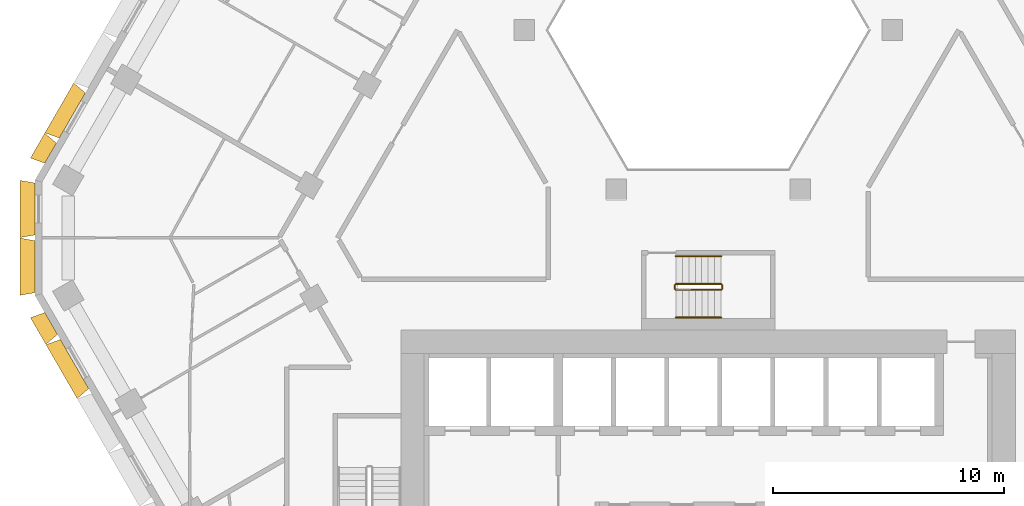
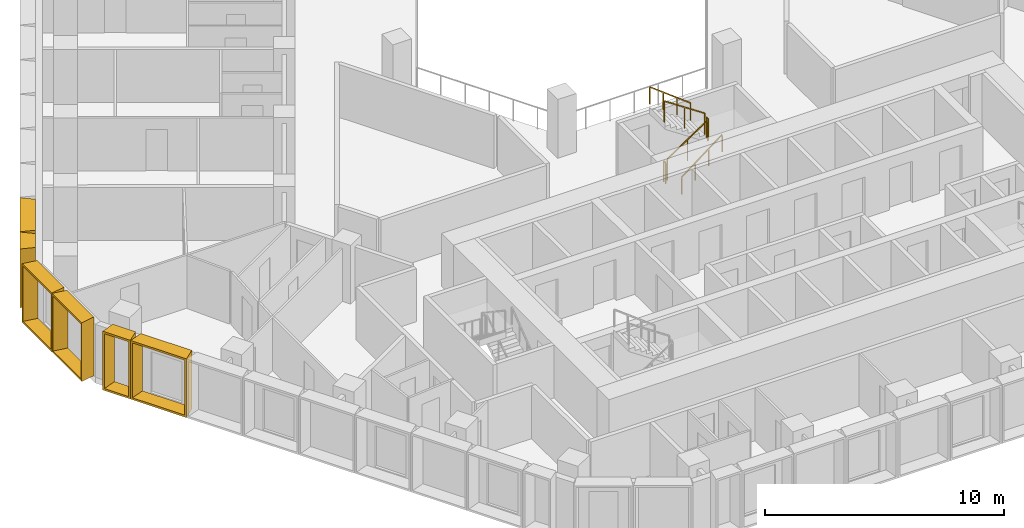
# One storey, part 14 of 16: 6 railings, 6 shading devices.
"""IFC4 building model written with IfcOpenShell, lengths in metres."""

from ifc_helpers import new_model, entity, si_unit, direction, frame, origin, origin_2d, place, context, subcontext, project, spatial, rectangle, extrude, source, transform, mapped, material, type_object, type_shapes, element, save


model = new_model("IFC4")

# Units and contexts
model_context = context("Model", 3, precision=1e-05, world=origin(), true_north=direction((0.0, 1.0)))
body_context = subcontext(model_context, "Body", "Model", "MODEL_VIEW")
ifc_project = project(units=[si_unit("LENGTHUNIT", "METRE"), si_unit("AREAUNIT", "SQUARE_METRE"), si_unit("VOLUMEUNIT", "CUBIC_METRE"), si_unit("PLANEANGLEUNIT", "RADIAN"), si_unit("MASSUNIT", "GRAM", prefix="KILO")], contexts=[model_context])

# Site, building, storey
site_placement = place(None, origin())
site = spatial("IfcSite", under=ifc_project, at=site_placement, CompositionType="ELEMENT")
building_placement = place(site_placement, origin())
building = spatial("IfcBuilding", under=site, at=building_placement, Name="Beryl Residences", CompositionType="ELEMENT")
storey_placement = place(building_placement, frame((0.0, 0.0, 90.0)))
storey = spatial("IfcBuildingStorey", under=building, at=storey_placement, Name="L27", CompositionType="ELEMENT", Elevation=90.0)

# Shading devices
ifc_material_1 = material(Name="Aluminium pale anodised", Category="aluminium")
shading_device_type_1 = type_object("IfcShadingDeviceType", Name="FR126-65A OUTER SKIN frame 650 mm deep, splay 10/10 deg, 1260 x 3000 mm cell", PredefinedType="USERDEFINED", material=ifc_material_1)
cartesian_point_1 = entity("IfcCartesianPoint", [-0.5048828125, 0.0])
cartesian_point_2 = entity("IfcCartesianPoint", [-0.423828125, 0.10009765625])
cartesian_point_3 = entity("IfcCartesianPoint", [-0.61962890625, 0.0])
cartesian_point_4 = entity("IfcCartesianPoint", [-0.538330078125, 0.10009765625])
shared_shape_1 = source(origin(), body_context, "Body", "SweptSolid", [
    entity("IfcExtrudedAreaSolidTapered", entity("IfcArbitraryProfileDefWithVoids", "AREA", None, entity("IfcPolyline", [cartesian_point_1, entity("IfcCartesianPoint", [0.5048828125, 0.0]), entity("IfcCartesianPoint", [0.5048828125, 3.0]), entity("IfcCartesianPoint", [-0.5048828125, 3.0]), cartesian_point_1]), [entity("IfcPolyline", [cartesian_point_2, entity("IfcCartesianPoint", [0.423828125, 0.10009765625]), entity("IfcCartesianPoint", [0.423828125, 2.89990234375]), entity("IfcCartesianPoint", [-0.423828125, 2.89990234375]), cartesian_point_2])]), entity("IfcAxis2Placement3D", entity("IfcCartesianPoint", [0.0, 0.0, 0.0]), entity("IfcDirection", [0.0, 1.0, 0.0]), entity("IfcDirection", [-1.0, 0.0, 0.0])), entity("IfcDirection", [0.0, 0.0, 1.0]), 0.64990234375, entity("IfcArbitraryProfileDefWithVoids", "AREA", None, entity("IfcPolyline", [cartesian_point_3, entity("IfcCartesianPoint", [0.61962890625, 0.0]), entity("IfcCartesianPoint", [0.61962890625, 3.0]), entity("IfcCartesianPoint", [-0.61962890625, 3.0]), cartesian_point_3]), [entity("IfcPolyline", [cartesian_point_4, entity("IfcCartesianPoint", [0.538330078125, 0.10009765625]), entity("IfcCartesianPoint", [0.538330078125, 2.89990234375]), entity("IfcCartesianPoint", [-0.538330078125, 2.89990234375]), cartesian_point_4])])),
])
type_shapes(shading_device_type_1, [shared_shape_1])
shading_device_1_placement = place(storey_placement, frame((-28.48193359375, 2.6689453125, 0.0), z_axis=(0.0, 0.0, 1.0), x_axis=(0.5, 0.866025403784, 0.0)))
element("IfcShadingDevice", 1, at=shading_device_1_placement, inside=storey, type_object=shading_device_type_1, Name="FR126-65A frame L27 NW 11", ObjectType="OUTER SKIN", PredefinedType="USERDEFINED", context=body_context, shape_type="MappedRepresentation", body=[
    mapped(shared_shape_1, transform((0.0, 0.0, 0.0))),
])
ifc_material_2 = material(Name="Aluminium pale anodised", Category="aluminium")
shading_device_type_2 = type_object("IfcShadingDeviceType", Name="FR135-65A OUTER SKIN frame 650 mm deep, splay 10/10 deg, 1350 x 3000 mm cell", PredefinedType="USERDEFINED", material=ifc_material_2)
cartesian_point_5 = entity("IfcCartesianPoint", [-0.550048828125, 0.0])
cartesian_point_6 = entity("IfcCartesianPoint", [-0.46875, 0.10009765625])
cartesian_point_7 = entity("IfcCartesianPoint", [-0.66455078125, 0.0])
cartesian_point_8 = entity("IfcCartesianPoint", [-0.58349609375, 0.10009765625])
shared_shape_2 = source(origin(), body_context, "Body", "SweptSolid", [
    entity("IfcExtrudedAreaSolidTapered", entity("IfcArbitraryProfileDefWithVoids", "AREA", None, entity("IfcPolyline", [cartesian_point_5, entity("IfcCartesianPoint", [0.550048828125, 0.0]), entity("IfcCartesianPoint", [0.550048828125, 3.0]), entity("IfcCartesianPoint", [-0.550048828125, 3.0]), cartesian_point_5]), [entity("IfcPolyline", [cartesian_point_6, entity("IfcCartesianPoint", [0.46875, 0.10009765625]), entity("IfcCartesianPoint", [0.46875, 2.89990234375]), entity("IfcCartesianPoint", [-0.46875, 2.89990234375]), cartesian_point_6])]), entity("IfcAxis2Placement3D", entity("IfcCartesianPoint", [0.0, 0.0, 0.0]), entity("IfcDirection", [0.0, 1.0, 0.0]), entity("IfcDirection", [-1.0, 0.0, 0.0])), entity("IfcDirection", [0.0, 0.0, 1.0]), 0.64990234375, entity("IfcArbitraryProfileDefWithVoids", "AREA", None, entity("IfcPolyline", [cartesian_point_7, entity("IfcCartesianPoint", [0.66455078125, 0.0]), entity("IfcCartesianPoint", [0.66455078125, 3.0]), entity("IfcCartesianPoint", [-0.66455078125, 3.0]), cartesian_point_7]), [entity("IfcPolyline", [cartesian_point_8, entity("IfcCartesianPoint", [0.58349609375, 0.10009765625]), entity("IfcCartesianPoint", [0.58349609375, 2.89990234375]), entity("IfcCartesianPoint", [-0.58349609375, 2.89990234375]), cartesian_point_8])])),
])
type_shapes(shading_device_type_2, [shared_shape_2])
shading_device_2_placement = place(storey_placement, frame((-28.4580078125, -4.7099609375, 0.0), z_axis=(0.0, 0.0, 1.0), x_axis=(-0.5, 0.866025403784, 0.0)))
element("IfcShadingDevice", 2, at=shading_device_2_placement, inside=storey, type_object=shading_device_type_2, Name="FR135-65A frame L27 SW 1", ObjectType="OUTER SKIN", PredefinedType="USERDEFINED", context=body_context, shape_type="MappedRepresentation", body=[
    mapped(shared_shape_2, transform((0.0, 0.0, 0.0))),
])
ifc_material_3 = material(Name="Aluminium pale anodised", Category="aluminium")
shading_device_type_3 = type_object("IfcShadingDeviceType", Name="FR250-65A OUTER SKIN frame 650 mm deep, splay 10/10 deg, 2500 x 3000 mm cell", PredefinedType="USERDEFINED", material=ifc_material_3)
cartesian_point_9 = entity("IfcCartesianPoint", [-1.125, 0.0])
cartesian_point_10 = entity("IfcCartesianPoint", [-1.043701171875, 0.10009765625])
cartesian_point_11 = entity("IfcCartesianPoint", [-1.239501953125, 0.0])
cartesian_point_12 = entity("IfcCartesianPoint", [-1.158447265625, 0.10009765625])
shared_shape_3 = source(origin(), body_context, "Body", "SweptSolid", [
    entity("IfcExtrudedAreaSolidTapered", entity("IfcArbitraryProfileDefWithVoids", "AREA", None, entity("IfcPolyline", [cartesian_point_9, entity("IfcCartesianPoint", [1.125, 0.0]), entity("IfcCartesianPoint", [1.125, 3.0]), entity("IfcCartesianPoint", [-1.125, 3.0]), cartesian_point_9]), [entity("IfcPolyline", [cartesian_point_10, entity("IfcCartesianPoint", [1.043701171875, 0.10009765625]), entity("IfcCartesianPoint", [1.043701171875, 2.89990234375]), entity("IfcCartesianPoint", [-1.043701171875, 2.89990234375]), cartesian_point_10])]), entity("IfcAxis2Placement3D", entity("IfcCartesianPoint", [0.0, 0.0, 0.0]), entity("IfcDirection", [0.0, 1.0, 0.0]), entity("IfcDirection", [-1.0, 0.0, 0.0])), entity("IfcDirection", [0.0, 0.0, 1.0]), 0.64990234375, entity("IfcArbitraryProfileDefWithVoids", "AREA", None, entity("IfcPolyline", [cartesian_point_11, entity("IfcCartesianPoint", [1.239501953125, 0.0]), entity("IfcCartesianPoint", [1.239501953125, 3.0]), entity("IfcCartesianPoint", [-1.239501953125, 3.0]), cartesian_point_11]), [entity("IfcPolyline", [cartesian_point_12, entity("IfcCartesianPoint", [1.158447265625, 0.10009765625]), entity("IfcCartesianPoint", [1.158447265625, 2.89990234375]), entity("IfcCartesianPoint", [-1.158447265625, 2.89990234375]), cartesian_point_12])])),
])
type_shapes(shading_device_type_3, [shared_shape_3])
for number, where, z_axis, x_axis, name in (
    (3, (-29.156982421875, 0.25, 0.0), (0.0, 0.0, 1.0), (0.0, 1.0, 0.0), "FR250-65A frame L27 NW-SW 1"),
    (4, (-29.156982421875, -2.25, 0.0), (0.0, 0.0, 1.0), (0.0, 1.0, 0.0), "FR250-65A frame L27 NW-SW 2"),
):
    element("IfcShadingDevice", number, at=place(storey_placement, frame(where, z_axis=z_axis, x_axis=x_axis)), inside=storey, type_object=shading_device_type_3, Name=name, ObjectType="OUTER SKIN", PredefinedType="USERDEFINED", context=body_context, shape_type="MappedRepresentation", body=[
        mapped(shared_shape_3, transform((0.0, 0.0, 0.0))),
    ])
ifc_material_4 = material(Name="Aluminium pale anodised", Category="aluminium")
shading_device_type_4 = type_object("IfcShadingDeviceType", Name="FR251-65A OUTER SKIN frame 650 mm deep, splay 10/10 deg, 2510 x 3000 mm cell", PredefinedType="USERDEFINED", material=ifc_material_4)
cartesian_point_13 = entity("IfcCartesianPoint", [-1.1298828125, 0.0])
cartesian_point_14 = entity("IfcCartesianPoint", [-1.048828125, 0.10009765625])
cartesian_point_15 = entity("IfcCartesianPoint", [-1.24462890625, 0.0])
cartesian_point_16 = entity("IfcCartesianPoint", [-1.163330078125, 0.10009765625])
shared_shape_4 = source(origin(), body_context, "Body", "SweptSolid", [
    entity("IfcExtrudedAreaSolidTapered", entity("IfcArbitraryProfileDefWithVoids", "AREA", None, entity("IfcPolyline", [cartesian_point_13, entity("IfcCartesianPoint", [1.1298828125, 0.0]), entity("IfcCartesianPoint", [1.1298828125, 3.0]), entity("IfcCartesianPoint", [-1.1298828125, 3.0]), cartesian_point_13]), [entity("IfcPolyline", [cartesian_point_14, entity("IfcCartesianPoint", [1.048828125, 0.10009765625]), entity("IfcCartesianPoint", [1.048828125, 2.89990234375]), entity("IfcCartesianPoint", [-1.048828125, 2.89990234375]), cartesian_point_14])]), entity("IfcAxis2Placement3D", entity("IfcCartesianPoint", [0.0, 0.0, 0.0]), entity("IfcDirection", [0.0, 1.0, 0.0]), entity("IfcDirection", [-1.0, 0.0, 0.0])), entity("IfcDirection", [0.0, 0.0, 1.0]), 0.64990234375, entity("IfcArbitraryProfileDefWithVoids", "AREA", None, entity("IfcPolyline", [cartesian_point_15, entity("IfcCartesianPoint", [1.24462890625, 0.0]), entity("IfcCartesianPoint", [1.24462890625, 3.0]), entity("IfcCartesianPoint", [-1.24462890625, 3.0]), cartesian_point_15]), [entity("IfcPolyline", [cartesian_point_16, entity("IfcCartesianPoint", [1.163330078125, 0.10009765625]), entity("IfcCartesianPoint", [1.163330078125, 2.89990234375]), entity("IfcCartesianPoint", [-1.163330078125, 2.89990234375]), cartesian_point_16])])),
])
type_shapes(shading_device_type_4, [shared_shape_4])
shading_device_3_placement = place(storey_placement, frame((-27.5400390625, 4.300048828125, 0.0), z_axis=(0.0, 0.0, 1.0), x_axis=(0.5, 0.866025403784, 0.0)))
element("IfcShadingDevice", 5, at=shading_device_3_placement, inside=storey, type_object=shading_device_type_4, Name="FR251-65A frame L27 NW 10", ObjectType="OUTER SKIN", PredefinedType="USERDEFINED", context=body_context, shape_type="MappedRepresentation", body=[
    mapped(shared_shape_4, transform((0.0, 0.0, 0.0))),
])
ifc_material_5 = material(Name="Aluminium pale anodised", Category="aluminium")
shading_device_type_5 = type_object("IfcShadingDeviceType", Name="FR271-65A OUTER SKIN frame 650 mm deep, splay 10/10 deg, 2710 x 3000 mm cell", PredefinedType="USERDEFINED", material=ifc_material_5)
cartesian_point_17 = entity("IfcCartesianPoint", [-1.22998046875, 0.0])
cartesian_point_18 = entity("IfcCartesianPoint", [-1.148681640625, 0.10009765625])
cartesian_point_19 = entity("IfcCartesianPoint", [-1.3447265625, 0.0])
cartesian_point_20 = entity("IfcCartesianPoint", [-1.263427734375, 0.10009765625])
shared_shape_5 = source(origin(), body_context, "Body", "SweptSolid", [
    entity("IfcExtrudedAreaSolidTapered", entity("IfcArbitraryProfileDefWithVoids", "AREA", None, entity("IfcPolyline", [cartesian_point_17, entity("IfcCartesianPoint", [1.22998046875, 0.0]), entity("IfcCartesianPoint", [1.22998046875, 3.0]), entity("IfcCartesianPoint", [-1.22998046875, 3.0]), cartesian_point_17]), [entity("IfcPolyline", [cartesian_point_18, entity("IfcCartesianPoint", [1.148681640625, 0.10009765625]), entity("IfcCartesianPoint", [1.148681640625, 2.89990234375]), entity("IfcCartesianPoint", [-1.148681640625, 2.89990234375]), cartesian_point_18])]), entity("IfcAxis2Placement3D", entity("IfcCartesianPoint", [0.0, 0.0, 0.0]), entity("IfcDirection", [0.0, 1.0, 0.0]), entity("IfcDirection", [-1.0, 0.0, 0.0])), entity("IfcDirection", [0.0, 0.0, 1.0]), 0.64990234375, entity("IfcArbitraryProfileDefWithVoids", "AREA", None, entity("IfcPolyline", [cartesian_point_19, entity("IfcCartesianPoint", [1.3447265625, 0.0]), entity("IfcCartesianPoint", [1.3447265625, 3.0]), entity("IfcCartesianPoint", [-1.3447265625, 3.0]), cartesian_point_19]), [entity("IfcPolyline", [cartesian_point_20, entity("IfcCartesianPoint", [1.263427734375, 0.10009765625]), entity("IfcCartesianPoint", [1.263427734375, 2.89990234375]), entity("IfcCartesianPoint", [-1.263427734375, 2.89990234375]), cartesian_point_20])])),
])
type_shapes(shading_device_type_5, [shared_shape_5])
shading_device_4_placement = place(storey_placement, frame((-27.443115234375, -6.468017578125, 0.0), z_axis=(0.0, 0.0, 1.0), x_axis=(-0.5, 0.866025403784, 0.0)))
element("IfcShadingDevice", 6, at=shading_device_4_placement, inside=storey, type_object=shading_device_type_5, Name="FR271-65A frame L27 SW 2", ObjectType="OUTER SKIN", PredefinedType="USERDEFINED", context=body_context, shape_type="MappedRepresentation", body=[
    mapped(shared_shape_5, transform((0.0, 0.0, 0.0))),
])

# Railings
ifc_material_6 = material(Name="Stainless steel balustrade with glass infill", Category="steel")
railing_type_1 = type_object("IfcRailingType", Name="SG1 stair guard 1100 mm", PredefinedType="GUARDRAIL", material=ifc_material_6)
railing_1_placement = place(storey_placement, frame((-1.39990234375, -3.25, 0.1875)))
element("IfcRailing", 7, at=railing_1_placement, inside=storey, type_object=railing_type_1, Name="L27 ST-4 stair guard 1", PredefinedType="GUARDRAIL", context=body_context, shape_type="SweptSolid", body=[
    extrude(rectangle(XDim=0.048095703125, YDim=0.048095703125, at=origin_2d()), frame((0.0, 0.0, 1.076171875), z_axis=(0.830902050051, 0.0, 0.556418712142), x_axis=(0.0, 1.0, 0.0)), (0.0, 0.0, 1.0), 2.35888671875),
    extrude(rectangle(XDim=0.0419921875, YDim=0.0419921875, at=origin_2d()), origin(), (0.0, 0.0, 1.0), 1.052001953125),
    extrude(rectangle(XDim=0.0419921875, YDim=0.0419921875, at=origin_2d()), frame((0.97998046875, 0.0, 0.65625)), (0.0, 0.0, 1.0), 1.052001953125),
    extrude(rectangle(XDim=0.0419921875, YDim=0.0419921875, at=origin_2d()), frame((1.9599609375, 0.0, 1.3125)), (0.0, 0.0, 1.0), 1.052001953125),
])
railing_2_placement = place(storey_placement, frame((0.610107421875, -3.199951171875, 1.5)))
element("IfcRailing", 8, at=railing_2_placement, inside=storey, type_object=railing_type_1, Name="L27 ST-4 stair guard 2", PredefinedType="GUARDRAIL", context=body_context, shape_type="SweptSolid", body=[
    extrude(rectangle(XDim=0.048095703125, YDim=0.048095703125, at=origin_2d()), frame((0.0, 0.0, 1.076171875), z_axis=(0.0, 1.0, 0.0), x_axis=(-1.0, 0.0, 0.0)), (0.0, 0.0, 1.0), 0.14990234375),
    extrude(rectangle(XDim=0.0419921875, YDim=0.0419921875, at=origin_2d()), origin(), (0.0, 0.0, 1.0), 1.052001953125),
    extrude(rectangle(XDim=0.0419921875, YDim=0.0419921875, at=origin_2d()), frame((0.0, 0.14990234375, 0.0)), (0.0, 0.0, 1.0), 1.052001953125),
])
railing_3_placement = place(storey_placement, frame((0.56005859375, -3.0, 1.6875)))
element("IfcRailing", 9, at=railing_3_placement, inside=storey, type_object=railing_type_1, Name="L27 ST-4 stair guard 3", PredefinedType="GUARDRAIL", context=body_context, shape_type="SweptSolid", body=[
    extrude(rectangle(XDim=0.048095703125, YDim=0.048095703125, at=origin_2d()), frame((0.0, 0.0, 1.076171875), z_axis=(-0.830902050051, 0.0, 0.556418712142), x_axis=(0.0, -1.0, 0.0)), (0.0, 0.0, 1.0), 2.35888671875),
    extrude(rectangle(XDim=0.0419921875, YDim=0.0419921875, at=origin_2d()), origin(), (0.0, 0.0, 1.0), 1.052001953125),
    extrude(rectangle(XDim=0.0419921875, YDim=0.0419921875, at=origin_2d()), frame((-0.97998046875, 0.0, 0.65625)), (0.0, 0.0, 1.0), 1.052001953125),
    extrude(rectangle(XDim=0.0419921875, YDim=0.0419921875, at=origin_2d()), frame((-1.9599609375, 0.0, 1.3125)), (0.0, 0.0, 1.0), 1.052001953125),
])
railing_4_placement = place(storey_placement, frame((-1.449951171875, -3.199951171875, 0.0)))
element("IfcRailing", 10, at=railing_4_placement, inside=storey, type_object=railing_type_1, Name="L27 ST-4 stair guard 4", PredefinedType="GUARDRAIL", context=body_context, shape_type="SweptSolid", body=[
    extrude(rectangle(XDim=0.048095703125, YDim=0.048095703125, at=origin_2d()), frame((0.0, 0.0, 1.076171875), z_axis=(0.0, 1.0, 0.0), x_axis=(-1.0, 0.0, 0.0)), (0.0, 0.0, 1.0), 0.14990234375),
    extrude(rectangle(XDim=0.0419921875, YDim=0.0419921875, at=origin_2d()), origin(), (0.0, 0.0, 1.0), 1.052001953125),
    extrude(rectangle(XDim=0.0419921875, YDim=0.0419921875, at=origin_2d()), frame((0.0, 0.14990234375, 0.0)), (0.0, 0.0, 1.0), 1.052001953125),
])
ifc_material_7 = material(Name="Stainless steel handrail", Category="steel")
railing_type_2 = type_object("IfcRailingType", Name="SRL1 stair handrail 900 mm", PredefinedType="HANDRAIL", material=ifc_material_7)
railing_5_placement = place(storey_placement, frame((-1.39990234375, -4.449951171875, 0.1875)))
element("IfcRailing", 11, at=railing_5_placement, inside=storey, type_object=railing_type_2, Name="L27 ST-4 stair handrail 1", PredefinedType="HANDRAIL", context=body_context, shape_type="SweptSolid", body=[
    extrude(rectangle(XDim=0.048095703125, YDim=0.048095703125, at=origin_2d()), frame((0.0, 0.0, 0.8759765625), z_axis=(0.794121922505, 0.0, 0.607758481798), x_axis=(0.0, 1.0, 0.0)), (0.0, 0.0, 1.0), 2.468017578125),
    extrude(rectangle(XDim=0.0419921875, YDim=0.0419921875, at=origin_2d()), origin(), (0.0, 0.0, 1.0), 0.851806640625),
    extrude(rectangle(XDim=0.0419921875, YDim=0.0419921875, at=origin_2d()), frame((0.6533203125, 0.0, 0.5)), (0.0, 0.0, 1.0), 0.851806640625),
    extrude(rectangle(XDim=0.0419921875, YDim=0.0419921875, at=origin_2d()), frame((1.306640625, 0.0, 1.0)), (0.0, 0.0, 1.0), 0.851806640625),
    extrude(rectangle(XDim=0.0419921875, YDim=0.0419921875, at=origin_2d()), frame((1.9599609375, 0.0, 1.5)), (0.0, 0.0, 1.0), 0.851806640625),
])
railing_6_placement = place(storey_placement, frame((0.56005859375, -1.800048828125, 1.6875)))
element("IfcRailing", 12, at=railing_6_placement, inside=storey, type_object=railing_type_2, Name="L27 ST-4 stair handrail 2", PredefinedType="HANDRAIL", context=body_context, shape_type="SweptSolid", body=[
    extrude(rectangle(XDim=0.048095703125, YDim=0.048095703125, at=origin_2d()), frame((0.0, 0.0, 0.8759765625), z_axis=(-0.794121922505, 0.0, 0.607758481798), x_axis=(0.0, -1.0, 0.0)), (0.0, 0.0, 1.0), 2.468017578125),
    extrude(rectangle(XDim=0.0419921875, YDim=0.0419921875, at=origin_2d()), origin(), (0.0, 0.0, 1.0), 0.851806640625),
    extrude(rectangle(XDim=0.0419921875, YDim=0.0419921875, at=origin_2d()), frame((-0.6533203125, 0.0, 0.5)), (0.0, 0.0, 1.0), 0.851806640625),
    extrude(rectangle(XDim=0.0419921875, YDim=0.0419921875, at=origin_2d()), frame((-1.306640625, 0.0, 1.0)), (0.0, 0.0, 1.0), 0.851806640625),
    extrude(rectangle(XDim=0.0419921875, YDim=0.0419921875, at=origin_2d()), frame((-1.9599609375, 0.0, 1.5)), (0.0, 0.0, 1.0), 0.851806640625),
])

save(model, "model.ifc")
